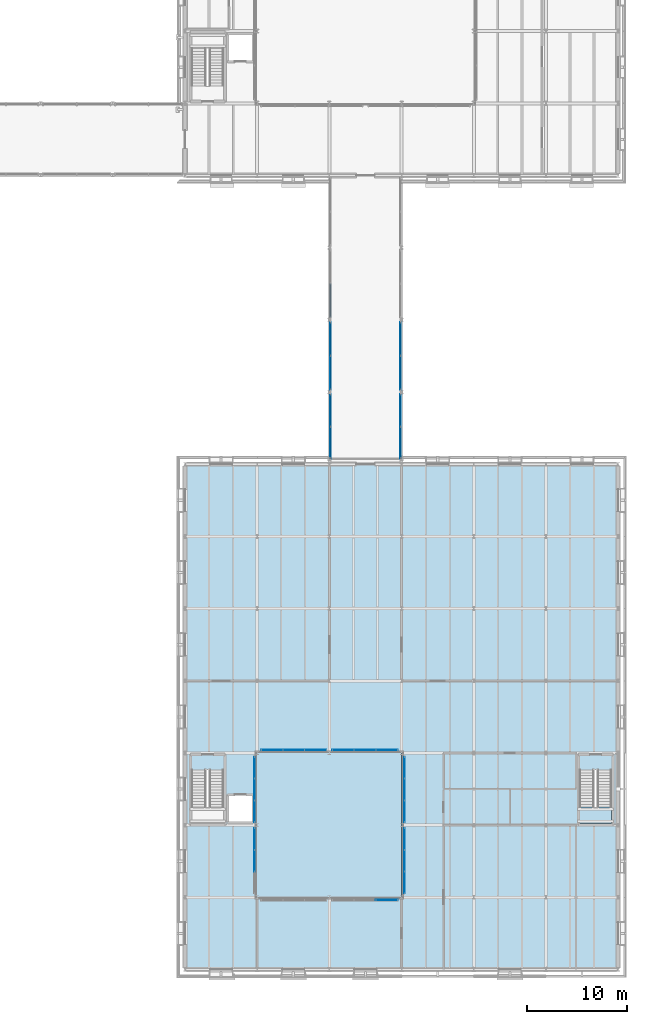
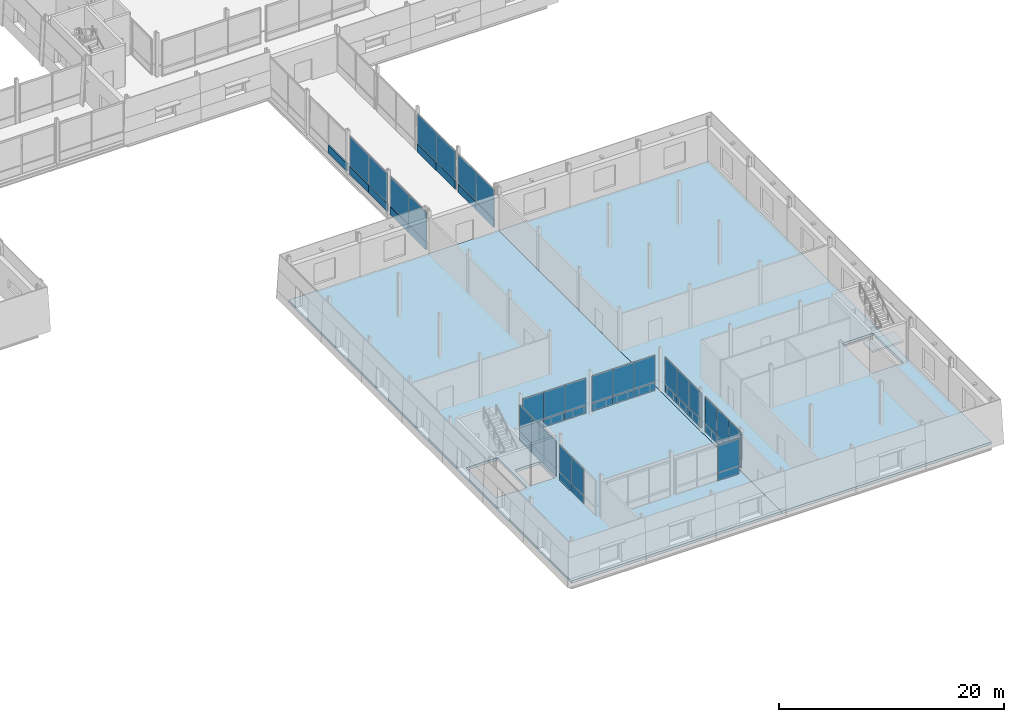
# One storey, part 66 of 121: 53 plates, 3 slabs, 13 elements without a shape of their own.
"""IFC4 building model written with IfcOpenShell, lengths in metres."""

from ifc_helpers import new_model, si_unit, direction, frame, origin, origin_2d, place, context, subcontext, project, spatial, polyline, rectangle, outline, extrude, material, layer, layer_set, type_object, element, aggregate, save


model = new_model("IFC4")

# Units and contexts
model_context = context("Model", 3, precision=1e-05, world=origin(), true_north=direction((0.0, 1.0)))
body_context = subcontext(model_context, "Body", "Model", "MODEL_VIEW")
ifc_project = project(units=[si_unit("LENGTHUNIT", "METRE"), si_unit("AREAUNIT", "SQUARE_METRE"), si_unit("VOLUMEUNIT", "CUBIC_METRE"), si_unit("PLANEANGLEUNIT", "RADIAN"), si_unit("MASSUNIT", "GRAM", prefix="KILO")], contexts=[model_context])

# Site, building, storey
site_placement = place(None, origin())
site = spatial("IfcSite", under=ifc_project, at=site_placement, CompositionType="ELEMENT")
building_placement = place(site_placement, origin())
building = spatial("IfcBuilding", under=site, at=building_placement, Name="Narikvali Park Central Library", CompositionType="ELEMENT")
storey_placement = place(building_placement, frame((0.0, 0.0, 5.39990234375)))
storey = spatial("IfcBuildingStorey", under=building, at=storey_placement, Name="L01", CompositionType="ELEMENT", Elevation=5.39990234375)

# Slabs
ifc_material_1 = material(Name="Concrete C35/45", Category="concrete")
ifc_layer_1 = layer(ifc_material_1, 0.280029296875, Name="Concrete C35/45")
ifc_layer_set_1 = layer_set([ifc_layer_1], Name="Concrete C35/45")
slab_type_1 = type_object("IfcSlabType", Name="Composite Reading Floor Slab 280", PredefinedType="FLOOR", material=ifc_layer_set_1)
slab_1_placement = place(storey_placement, frame((0.0, 0.0, -0.27978515625)))
element("IfcSlab", 1, at=slab_1_placement, inside=storey, type_object=slab_type_1, Name="V6 L01 Structural Slab Panel 1", PredefinedType="FLOOR", context=body_context, shape_type="SweptSolid", body=[
    extrude(outline(polyline([(122.39990234375, 0.0), (144.0, 0.0), (144.0, 50.39990234375), (122.39990234375, 50.39990234375), (122.39990234375, 0.0)]), holes=[polyline([(123.050048828125, 14.550048828125), (126.25, 14.550048828125), (126.25, 19.89990234375), (123.050048828125, 19.89990234375), (123.050048828125, 14.550048828125)]), polyline([(126.64990234375, 14.64990234375), (129.199951171875, 14.64990234375), (129.199951171875, 17.449951171875), (126.64990234375, 17.449951171875), (126.64990234375, 14.64990234375)])]), origin(), (0.0, 0.0, 1.0), 0.27978515625),
])
slab_2_placement = place(storey_placement, frame((0.0, 0.0, -0.27978515625)))
element("IfcSlab", 2, at=slab_2_placement, inside=storey, type_object=slab_type_1, Name="V6 L01 Structural Slab Panel 2", PredefinedType="FLOOR", context=body_context, shape_type="SweptSolid", body=[
    extrude(outline(polyline([(144.0, 0.0), (165.60009765625, 0.0), (165.60009765625, 50.39990234375), (144.0, 50.39990234375), (144.0, 0.0)]), holes=[polyline([(161.75, 14.550048828125), (164.949951171875, 14.550048828125), (164.949951171875, 19.89990234375), (161.75, 19.89990234375), (161.75, 14.550048828125)])]), origin(), (0.0, 0.0, 1.0), 0.27978515625),
])

# Curtain wall, plate
ifc_material_2 = material(Name="Anodised Bronze Aluminium", Category="aluminium")
ifc_layer_2 = layer(ifc_material_2, 0.219970703125, Name="Anodised Bronze Aluminium")
ifc_layer_set_2 = layer_set([ifc_layer_2], Name="Anodised Bronze Aluminium")
curtain_wall_type_1 = type_object("IfcCurtainWallType", Name="Bridge Covered Passage Glazing System", PredefinedType="NOTDEFINED", material=ifc_layer_set_2)
curtain_wall_1_placement = place(storey_placement, origin())
curtain_wall_1 = element("IfcCurtainWall", 3, at=curtain_wall_1_placement, inside=storey, type_object=curtain_wall_type_1, Name="Bridge Covered Passage Glazing System CW-BRG-4-L01-W1", PredefinedType="NOTDEFINED")
ifc_material_3 = material(Name="Anodised Bronze Acoustic Spandrel Cassette")
ifc_layer_3 = layer(ifc_material_3, 0.1650390625, Name="Anodised Bronze Acoustic Spandrel Cassette")
ifc_layer_set_3 = layer_set([ifc_layer_3], Name="Anodised Bronze Acoustic Spandrel Cassette")
plate_type_1 = type_object("IfcPlateType", Name="Curtain Wall Acoustic Plenum Louvre Cassette 165", PredefinedType="CURTAIN_PANEL", material=ifc_layer_set_3)
plate_1_placement = place(storey_placement, frame((136.919921875, 55.757568359375, 0.03515625), z_axis=(0.0, 0.0, 1.0), x_axis=(0.0, 1.0, 0.0)))
plate_1 = element("IfcPlate", 4, at=plate_1_placement, type_object=plate_type_1, Name="CW-BRG-4-L01-W1 Panel 01-0", PredefinedType="CURTAIN_PANEL", context=body_context, shape_type="SweptSolid", body=[
    extrude(rectangle(XDim=3.195068359375, YDim=0.1650390625, at=origin_2d()), origin(), (0.0, 0.0, 1.0), 0.860107421875),
])

curtain_wall_2_placement = place(storey_placement, origin())
curtain_wall_2 = element("IfcCurtainWall", 5, at=curtain_wall_2_placement, inside=storey, type_object=curtain_wall_type_1, Name="Bridge Covered Passage Glazing System CW-BRG-4-L01-E1", PredefinedType="NOTDEFINED")
plate_2_placement = place(storey_placement, frame((143.8798828125, 52.552490234375, 0.03515625), z_axis=(0.0, 0.0, 1.0), x_axis=(0.0, 1.0, 0.0)))
plate_2 = element("IfcPlate", 6, at=plate_2_placement, type_object=plate_type_1, Name="CW-BRG-4-L01-E1 Panel 00-0", PredefinedType="CURTAIN_PANEL", context=body_context, shape_type="SweptSolid", body=[
    extrude(rectangle(XDim=3.195068359375, YDim=0.1650390625, at=origin_2d()), origin(), (0.0, 0.0, 1.0), 0.860107421875),
])

curtain_wall_3_placement = place(storey_placement, origin())
curtain_wall_3 = element("IfcCurtainWall", 7, at=curtain_wall_3_placement, inside=storey, type_object=curtain_wall_type_1, Name="Bridge Covered Passage Glazing System CW-BRG-4-L01-E2", PredefinedType="NOTDEFINED")
plate_3_placement = place(storey_placement, frame((143.8798828125, 62.8798828125, 0.03515625), z_axis=(0.0, 0.0, 1.0), x_axis=(0.0, 1.0, 0.0)))
plate_3 = element("IfcPlate", 8, at=plate_3_placement, type_object=plate_type_1, Name="CW-BRG-4-L01-E2 Panel 01-0", PredefinedType="CURTAIN_PANEL", context=body_context, shape_type="SweptSolid", body=[
    extrude(rectangle(XDim=3.35009765625, YDim=0.1650390625, at=origin_2d()), origin(), (0.0, 0.0, 1.0), 0.860107421875),
])

curtain_wall_4_placement = place(storey_placement, origin())
curtain_wall_4 = element("IfcCurtainWall", 9, at=curtain_wall_4_placement, inside=storey, type_object=curtain_wall_type_1, Name="Bridge Covered Passage Glazing System CW-BRG-4-L01-W3", PredefinedType="NOTDEFINED")
plate_4_placement = place(storey_placement, frame((136.919921875, 66.719970703125, 0.03515625), z_axis=(0.0, 0.0, 1.0), x_axis=(0.0, 1.0, 0.0)))
plate_4 = element("IfcPlate", 10, at=plate_4_placement, type_object=plate_type_1, Name="CW-BRG-4-L01-W3 Panel 00-0", PredefinedType="CURTAIN_PANEL", context=body_context, shape_type="SweptSolid", body=[
    extrude(rectangle(XDim=3.35009765625, YDim=0.1650390625, at=origin_2d()), origin(), (0.0, 0.0, 1.0), 0.860107421875),
])
aggregate(curtain_wall_4, [plate_4])

# Plate
ifc_material_4 = material(Name="Heavy Acoustic Laminated Clerestory Glazing", Category="glass")
ifc_layer_4 = layer(ifc_material_4, 0.06396484375, Name="Heavy Acoustic Laminated Clerestory Glazing")
ifc_layer_set_4 = layer_set([ifc_layer_4], Name="Heavy Acoustic Laminated Clerestory Glazing")
plate_type_2 = type_object("IfcPlateType", Name="Curtain Wall Clerestory Laminated Acoustic Glass 64", PredefinedType="CURTAIN_PANEL", material=ifc_layer_set_4)
plate_5_placement = place(storey_placement, frame((136.919921875, 52.552490234375, 0.905029296875), z_axis=(0.0, 0.0, 1.0), x_axis=(0.0, 1.0, 0.0)))
plate_5 = element("IfcPlate", 11, at=plate_5_placement, type_object=plate_type_2, Name="CW-BRG-4-L01-W1 Panel 00-1", PredefinedType="CURTAIN_PANEL", context=body_context, shape_type="SweptSolid", body=[
    extrude(rectangle(XDim=3.195068359375, YDim=0.06396484375, at=origin_2d()), origin(), (0.0, 0.0, 1.0), 3.2099609375),
])

plate_6_placement = place(storey_placement, frame((136.919921875, 55.757568359375, 0.905029296875), z_axis=(0.0, 0.0, 1.0), x_axis=(0.0, 1.0, 0.0)))
plate_6 = element("IfcPlate", 12, at=plate_6_placement, type_object=plate_type_2, Name="CW-BRG-4-L01-W1 Panel 01-1", PredefinedType="CURTAIN_PANEL", context=body_context, shape_type="SweptSolid", body=[
    extrude(rectangle(XDim=3.195068359375, YDim=0.06396484375, at=origin_2d()), origin(), (0.0, 0.0, 1.0), 3.2099609375),
])

plate_7_placement = place(storey_placement, frame((143.8798828125, 59.52001953125, 0.905029296875), z_axis=(0.0, 0.0, 1.0), x_axis=(0.0, 1.0, 0.0)))
plate_7 = element("IfcPlate", 13, at=plate_7_placement, type_object=plate_type_2, Name="CW-BRG-4-L01-E2 Panel 00-1", PredefinedType="CURTAIN_PANEL", context=body_context, shape_type="SweptSolid", body=[
    extrude(rectangle(XDim=3.35009765625, YDim=0.06396484375, at=origin_2d()), origin(), (0.0, 0.0, 1.0), 3.2099609375),
])

plate_8_placement = place(storey_placement, frame((143.8798828125, 62.8798828125, 0.905029296875), z_axis=(0.0, 0.0, 1.0), x_axis=(0.0, 1.0, 0.0)))
plate_8 = element("IfcPlate", 14, at=plate_8_placement, type_object=plate_type_2, Name="CW-BRG-4-L01-E2 Panel 01-1", PredefinedType="CURTAIN_PANEL", context=body_context, shape_type="SweptSolid", body=[
    extrude(rectangle(XDim=3.35009765625, YDim=0.06396484375, at=origin_2d()), origin(), (0.0, 0.0, 1.0), 3.2099609375),
])

# Curtain wall, plates
ifc_layer_5 = layer(ifc_material_2, 0.219970703125, Name="Anodised Bronze Aluminium")
ifc_layer_set_5 = layer_set([ifc_layer_5], Name="Anodised Bronze Aluminium")
curtain_wall_type_2 = type_object("IfcCurtainWallType", Name="Atrium Tall Curtain Wall System", PredefinedType="NOTDEFINED", material=ifc_layer_set_5)
curtain_wall_5_placement = place(storey_placement, origin())
curtain_wall_5 = element("IfcCurtainWall", 15, at=curtain_wall_5_placement, inside=storey, type_object=curtain_wall_type_2, Name="Atrium Tall Curtain Wall System CW-INT-V6-L01-W1", PredefinedType="NOTDEFINED")
plate_9_placement = place(storey_placement, frame((129.320068359375, 10.85009765625, 0.03515625), z_axis=(0.0, 0.0, 1.0), x_axis=(0.0, 1.0, 0.0)))
plate_9 = element("IfcPlate", 16, at=plate_9_placement, type_object=plate_type_2, Name="CW-INT-V6-L01-W1 Panel 01-0", PredefinedType="CURTAIN_PANEL", context=body_context, shape_type="SweptSolid", body=[
    extrude(rectangle(XDim=2.15673828125, YDim=0.06396484375, at=origin_2d()), origin(), (0.0, 0.0, 1.0), 0.860107421875),
])
plate_10_placement = place(storey_placement, frame((129.320068359375, 13.0166015625, 0.03515625), z_axis=(0.0, 0.0, 1.0), x_axis=(0.0, 1.0, 0.0)))
plate_10 = element("IfcPlate", 17, at=plate_10_placement, type_object=plate_type_2, Name="CW-INT-V6-L01-W1 Panel 02-0", PredefinedType="CURTAIN_PANEL", context=body_context, shape_type="SweptSolid", body=[
    extrude(rectangle(XDim=2.15673828125, YDim=0.06396484375, at=origin_2d()), origin(), (0.0, 0.0, 1.0), 0.860107421875),
])

curtain_wall_6_placement = place(storey_placement, origin())
curtain_wall_6 = element("IfcCurtainWall", 18, at=curtain_wall_6_placement, inside=storey, type_object=curtain_wall_type_2, Name="Atrium Tall Curtain Wall System CW-INT-V6-L01-E1", PredefinedType="NOTDEFINED")
plate_11_placement = place(storey_placement, frame((144.280029296875, 8.683349609375, 0.905029296875), z_axis=(0.0, 0.0, 1.0), x_axis=(0.0, 1.0, 0.0)))
plate_11 = element("IfcPlate", 19, at=plate_11_placement, type_object=plate_type_2, Name="CW-INT-V6-L01-E1 Panel 00-1", PredefinedType="CURTAIN_PANEL", context=body_context, shape_type="SweptSolid", body=[
    extrude(rectangle(XDim=2.15673828125, YDim=0.06396484375, at=origin_2d()), origin(), (0.0, 0.0, 1.0), 2.9599609375),
])
plate_12_placement = place(storey_placement, frame((144.280029296875, 10.85009765625, 0.905029296875), z_axis=(0.0, 0.0, 1.0), x_axis=(0.0, 1.0, 0.0)))
plate_12 = element("IfcPlate", 20, at=plate_12_placement, type_object=plate_type_2, Name="CW-INT-V6-L01-E1 Panel 01-1", PredefinedType="CURTAIN_PANEL", context=body_context, shape_type="SweptSolid", body=[
    extrude(rectangle(XDim=2.15673828125, YDim=0.06396484375, at=origin_2d()), origin(), (0.0, 0.0, 1.0), 2.9599609375),
])
plate_13_placement = place(storey_placement, frame((144.280029296875, 13.0166015625, 0.905029296875), z_axis=(0.0, 0.0, 1.0), x_axis=(0.0, 1.0, 0.0)))
plate_13 = element("IfcPlate", 21, at=plate_13_placement, type_object=plate_type_2, Name="CW-INT-V6-L01-E1 Panel 02-1", PredefinedType="CURTAIN_PANEL", context=body_context, shape_type="SweptSolid", body=[
    extrude(rectangle(XDim=2.15673828125, YDim=0.06396484375, at=origin_2d()), origin(), (0.0, 0.0, 1.0), 2.9599609375),
])

curtain_wall_7_placement = place(storey_placement, origin())
curtain_wall_7 = element("IfcCurtainWall", 22, at=curtain_wall_7_placement, inside=storey, type_object=curtain_wall_type_2, Name="Atrium Tall Curtain Wall System CW-INT-V6-L01-E2", PredefinedType="NOTDEFINED")
plate_14_placement = place(storey_placement, frame((144.280029296875, 15.783203125, 0.03515625), z_axis=(0.0, 0.0, 1.0), x_axis=(0.0, 1.0, 0.0)))
plate_14 = element("IfcPlate", 23, at=plate_14_placement, type_object=plate_type_2, Name="CW-INT-V6-L01-E2 Panel 00-0", PredefinedType="CURTAIN_PANEL", context=body_context, shape_type="SweptSolid", body=[
    extrude(rectangle(XDim=2.15673828125, YDim=0.06396484375, at=origin_2d()), origin(), (0.0, 0.0, 1.0), 0.860107421875),
])
plate_15_placement = place(storey_placement, frame((144.280029296875, 17.949951171875, 0.03515625), z_axis=(0.0, 0.0, 1.0), x_axis=(0.0, 1.0, 0.0)))
plate_15 = element("IfcPlate", 24, at=plate_15_placement, type_object=plate_type_2, Name="CW-INT-V6-L01-E2 Panel 01-0", PredefinedType="CURTAIN_PANEL", context=body_context, shape_type="SweptSolid", body=[
    extrude(rectangle(XDim=2.15673828125, YDim=0.06396484375, at=origin_2d()), origin(), (0.0, 0.0, 1.0), 0.860107421875),
])
plate_16_placement = place(storey_placement, frame((144.280029296875, 20.11669921875, 0.03515625), z_axis=(0.0, 0.0, 1.0), x_axis=(0.0, 1.0, 0.0)))
plate_16 = element("IfcPlate", 25, at=plate_16_placement, type_object=plate_type_2, Name="CW-INT-V6-L01-E2 Panel 02-0", PredefinedType="CURTAIN_PANEL", context=body_context, shape_type="SweptSolid", body=[
    extrude(rectangle(XDim=2.15673828125, YDim=0.06396484375, at=origin_2d()), origin(), (0.0, 0.0, 1.0), 0.860107421875),
])

curtain_wall_8_placement = place(storey_placement, origin())
curtain_wall_8 = element("IfcCurtainWall", 26, at=curtain_wall_8_placement, inside=storey, type_object=curtain_wall_type_2, Name="Atrium Tall Curtain Wall System CW-INT-V6-L01-N2", PredefinedType="NOTDEFINED")
plate_17_placement = place(storey_placement, frame((138.183349609375, 21.8798828125, 0.905029296875), z_axis=(0.0, 0.0, 1.0), x_axis=(1.0, 0.0, 0.0)))
plate_17 = element("IfcPlate", 27, at=plate_17_placement, type_object=plate_type_2, Name="CW-INT-V6-L01-N2 Panel 00-1", PredefinedType="CURTAIN_PANEL", context=body_context, shape_type="SweptSolid", body=[
    extrude(rectangle(XDim=2.15673828125, YDim=0.06396484375, at=origin_2d()), origin(), (0.0, 0.0, 1.0), 2.9599609375),
])
plate_18_placement = place(storey_placement, frame((140.35009765625, 21.8798828125, 0.905029296875), z_axis=(0.0, 0.0, 1.0), x_axis=(1.0, 0.0, 0.0)))
plate_18 = element("IfcPlate", 28, at=plate_18_placement, type_object=plate_type_2, Name="CW-INT-V6-L01-N2 Panel 01-1", PredefinedType="CURTAIN_PANEL", context=body_context, shape_type="SweptSolid", body=[
    extrude(rectangle(XDim=2.15673828125, YDim=0.06396484375, at=origin_2d()), origin(), (0.0, 0.0, 1.0), 2.9599609375),
])
plate_19_placement = place(storey_placement, frame((142.5166015625, 21.8798828125, 0.905029296875), z_axis=(0.0, 0.0, 1.0), x_axis=(1.0, 0.0, 0.0)))
plate_19 = element("IfcPlate", 29, at=plate_19_placement, type_object=plate_type_2, Name="CW-INT-V6-L01-N2 Panel 02-1", PredefinedType="CURTAIN_PANEL", context=body_context, shape_type="SweptSolid", body=[
    extrude(rectangle(XDim=2.15673828125, YDim=0.06396484375, at=origin_2d()), origin(), (0.0, 0.0, 1.0), 2.9599609375),
])

# Plate
ifc_material_5 = material(Name="Double Low-E Tempered Vision Glazing", Category="glass")
ifc_layer_6 = layer(ifc_material_5, 0.035888671875, Name="Double Low-E Tempered Vision Glazing")
ifc_layer_set_6 = layer_set([ifc_layer_6], Name="Double Low-E Tempered Vision Glazing")
plate_type_3 = type_object("IfcPlateType", Name="Curtain Wall Double Low-E Vision Glazing 36", PredefinedType="CURTAIN_PANEL", material=ifc_layer_set_6)
plate_20_placement = place(storey_placement, frame((143.8798828125, 52.552490234375, 0.905029296875), z_axis=(0.0, 0.0, 1.0), x_axis=(0.0, 1.0, 0.0)))
plate_20 = element("IfcPlate", 30, at=plate_20_placement, type_object=plate_type_3, Name="CW-BRG-4-L01-E1 Panel 00-1", PredefinedType="CURTAIN_PANEL", context=body_context, shape_type="SweptSolid", body=[
    extrude(rectangle(XDim=3.195068359375, YDim=0.035888671875, at=origin_2d()), origin(), (0.0, 0.0, 1.0), 3.2099609375),
])

plate_21_placement = place(storey_placement, frame((143.8798828125, 55.757568359375, 0.905029296875), z_axis=(0.0, 0.0, 1.0), x_axis=(0.0, 1.0, 0.0)))
plate_21 = element("IfcPlate", 31, at=plate_21_placement, type_object=plate_type_3, Name="CW-BRG-4-L01-E1 Panel 01-1", PredefinedType="CURTAIN_PANEL", context=body_context, shape_type="SweptSolid", body=[
    extrude(rectangle(XDim=3.195068359375, YDim=0.035888671875, at=origin_2d()), origin(), (0.0, 0.0, 1.0), 3.2099609375),
])

plate_22_placement = place(storey_placement, frame((129.320068359375, 10.85009765625, 0.905029296875), z_axis=(0.0, 0.0, 1.0), x_axis=(0.0, 1.0, 0.0)))
plate_22 = element("IfcPlate", 32, at=plate_22_placement, type_object=plate_type_3, Name="CW-INT-V6-L01-W1 Panel 01-1", PredefinedType="CURTAIN_PANEL", context=body_context, shape_type="SweptSolid", body=[
    extrude(rectangle(XDim=2.15673828125, YDim=0.035888671875, at=origin_2d()), origin(), (0.0, 0.0, 1.0), 2.9599609375),
])

plate_23_placement = place(storey_placement, frame((129.320068359375, 13.0166015625, 0.905029296875), z_axis=(0.0, 0.0, 1.0), x_axis=(0.0, 1.0, 0.0)))
plate_23 = element("IfcPlate", 33, at=plate_23_placement, type_object=plate_type_3, Name="CW-INT-V6-L01-W1 Panel 02-1", PredefinedType="CURTAIN_PANEL", context=body_context, shape_type="SweptSolid", body=[
    extrude(rectangle(XDim=2.15673828125, YDim=0.035888671875, at=origin_2d()), origin(), (0.0, 0.0, 1.0), 2.9599609375),
])

aggregate(curtain_wall_5, [plate_9, plate_22, plate_10, plate_23])

# Curtain wall, plates
curtain_wall_9_placement = place(storey_placement, origin())
curtain_wall_9 = element("IfcCurtainWall", 34, at=curtain_wall_9_placement, inside=storey, type_object=curtain_wall_type_2, Name="Atrium Tall Curtain Wall System CW-INT-V6-L01-W2", PredefinedType="NOTDEFINED")
plate_24_placement = place(storey_placement, frame((129.320068359375, 15.783203125, 0.03515625), z_axis=(0.0, 0.0, 1.0), x_axis=(0.0, 1.0, 0.0)))
plate_24 = element("IfcPlate", 35, at=plate_24_placement, type_object=plate_type_3, Name="CW-INT-V6-L01-W2 Panel 00-0", PredefinedType="CURTAIN_PANEL", context=body_context, shape_type="SweptSolid", body=[
    extrude(rectangle(XDim=2.15673828125, YDim=0.035888671875, at=origin_2d()), origin(), (0.0, 0.0, 1.0), 0.860107421875),
])
plate_25_placement = place(storey_placement, frame((129.320068359375, 17.949951171875, 0.03515625), z_axis=(0.0, 0.0, 1.0), x_axis=(0.0, 1.0, 0.0)))
plate_25 = element("IfcPlate", 36, at=plate_25_placement, type_object=plate_type_3, Name="CW-INT-V6-L01-W2 Panel 01-0", PredefinedType="CURTAIN_PANEL", context=body_context, shape_type="SweptSolid", body=[
    extrude(rectangle(XDim=2.15673828125, YDim=0.035888671875, at=origin_2d()), origin(), (0.0, 0.0, 1.0), 0.860107421875),
])
plate_26_placement = place(storey_placement, frame((129.320068359375, 20.11669921875, 0.03515625), z_axis=(0.0, 0.0, 1.0), x_axis=(0.0, 1.0, 0.0)))
plate_26 = element("IfcPlate", 37, at=plate_26_placement, type_object=plate_type_3, Name="CW-INT-V6-L01-W2 Panel 02-0", PredefinedType="CURTAIN_PANEL", context=body_context, shape_type="SweptSolid", body=[
    extrude(rectangle(XDim=2.15673828125, YDim=0.035888671875, at=origin_2d()), origin(), (0.0, 0.0, 1.0), 0.860107421875),
])

# Plate
plate_27_placement = place(storey_placement, frame((144.280029296875, 15.783203125, 0.905029296875), z_axis=(0.0, 0.0, 1.0), x_axis=(0.0, 1.0, 0.0)))
plate_27 = element("IfcPlate", 38, at=plate_27_placement, type_object=plate_type_3, Name="CW-INT-V6-L01-E2 Panel 00-1", PredefinedType="CURTAIN_PANEL", context=body_context, shape_type="SweptSolid", body=[
    extrude(rectangle(XDim=2.15673828125, YDim=0.035888671875, at=origin_2d()), origin(), (0.0, 0.0, 1.0), 2.9599609375),
])

plate_28_placement = place(storey_placement, frame((144.280029296875, 17.949951171875, 0.905029296875), z_axis=(0.0, 0.0, 1.0), x_axis=(0.0, 1.0, 0.0)))
plate_28 = element("IfcPlate", 39, at=plate_28_placement, type_object=plate_type_3, Name="CW-INT-V6-L01-E2 Panel 01-1", PredefinedType="CURTAIN_PANEL", context=body_context, shape_type="SweptSolid", body=[
    extrude(rectangle(XDim=2.15673828125, YDim=0.035888671875, at=origin_2d()), origin(), (0.0, 0.0, 1.0), 2.9599609375),
])

plate_29_placement = place(storey_placement, frame((144.280029296875, 20.11669921875, 0.905029296875), z_axis=(0.0, 0.0, 1.0), x_axis=(0.0, 1.0, 0.0)))
plate_29 = element("IfcPlate", 40, at=plate_29_placement, type_object=plate_type_3, Name="CW-INT-V6-L01-E2 Panel 02-1", PredefinedType="CURTAIN_PANEL", context=body_context, shape_type="SweptSolid", body=[
    extrude(rectangle(XDim=2.15673828125, YDim=0.035888671875, at=origin_2d()), origin(), (0.0, 0.0, 1.0), 2.9599609375),
])

aggregate(curtain_wall_7, [plate_14, plate_27, plate_15, plate_28, plate_16, plate_29])

# Curtain wall, plates
curtain_wall_10_placement = place(storey_placement, origin())
curtain_wall_10 = element("IfcCurtainWall", 41, at=curtain_wall_10_placement, inside=storey, type_object=curtain_wall_type_2, Name="Atrium Tall Curtain Wall System CW-INT-V6-L01-N1", PredefinedType="NOTDEFINED")
plate_30_placement = place(storey_placement, frame((131.083251953125, 21.8798828125, 0.03515625), z_axis=(0.0, 0.0, 1.0), x_axis=(1.0, 0.0, 0.0)))
plate_30 = element("IfcPlate", 42, at=plate_30_placement, type_object=plate_type_3, Name="CW-INT-V6-L01-N1 Panel 00-0", PredefinedType="CURTAIN_PANEL", context=body_context, shape_type="SweptSolid", body=[
    extrude(rectangle(XDim=2.15673828125, YDim=0.035888671875, at=origin_2d()), origin(), (0.0, 0.0, 1.0), 0.860107421875),
])
plate_31_placement = place(storey_placement, frame((133.25, 21.8798828125, 0.03515625), z_axis=(0.0, 0.0, 1.0), x_axis=(1.0, 0.0, 0.0)))
plate_31 = element("IfcPlate", 43, at=plate_31_placement, type_object=plate_type_3, Name="CW-INT-V6-L01-N1 Panel 01-0", PredefinedType="CURTAIN_PANEL", context=body_context, shape_type="SweptSolid", body=[
    extrude(rectangle(XDim=2.15673828125, YDim=0.035888671875, at=origin_2d()), origin(), (0.0, 0.0, 1.0), 0.860107421875),
])
plate_32_placement = place(storey_placement, frame((135.416748046875, 21.8798828125, 0.03515625), z_axis=(0.0, 0.0, 1.0), x_axis=(1.0, 0.0, 0.0)))
plate_32 = element("IfcPlate", 44, at=plate_32_placement, type_object=plate_type_3, Name="CW-INT-V6-L01-N1 Panel 02-0", PredefinedType="CURTAIN_PANEL", context=body_context, shape_type="SweptSolid", body=[
    extrude(rectangle(XDim=2.15673828125, YDim=0.035888671875, at=origin_2d()), origin(), (0.0, 0.0, 1.0), 0.860107421875),
])

# Curtain wall, plate
curtain_wall_11_placement = place(storey_placement, origin())
curtain_wall_11 = element("IfcCurtainWall", 45, at=curtain_wall_11_placement, inside=storey, type_object=curtain_wall_type_2, Name="Atrium Tall Curtain Wall System CW-INT-V6-L01-S2", PredefinedType="NOTDEFINED")
plate_33_placement = place(storey_placement, frame((142.5166015625, 6.919921875, 0.03515625), z_axis=(0.0, 0.0, 1.0), x_axis=(1.0, 0.0, 0.0)))
plate_33 = element("IfcPlate", 46, at=plate_33_placement, type_object=plate_type_3, Name="CW-INT-V6-L01-S2 Panel 02-0", PredefinedType="CURTAIN_PANEL", context=body_context, shape_type="SweptSolid", body=[
    extrude(rectangle(XDim=2.15673828125, YDim=0.035888671875, at=origin_2d()), origin(), (0.0, 0.0, 1.0), 0.860107421875),
])

# Plate
ifc_material_6 = material(Name="Anodised Bronze Insulated Spandrel Cassette")
ifc_layer_7 = layer(ifc_material_6, 0.110107421875, Name="Anodised Bronze Insulated Spandrel Cassette")
ifc_layer_set_7 = layer_set([ifc_layer_7], Name="Anodised Bronze Insulated Spandrel Cassette")
plate_type_4 = type_object("IfcPlateType", Name="Curtain Wall Insulated Bronze Spandrel Cassette 110", PredefinedType="CURTAIN_PANEL", material=ifc_layer_set_7)
plate_34_placement = place(storey_placement, frame((143.8798828125, 55.757568359375, 0.03515625), z_axis=(0.0, 0.0, 1.0), x_axis=(0.0, 1.0, 0.0)))
plate_34 = element("IfcPlate", 47, at=plate_34_placement, type_object=plate_type_4, Name="CW-BRG-4-L01-E1 Panel 01-0", PredefinedType="CURTAIN_PANEL", context=body_context, shape_type="SweptSolid", body=[
    extrude(rectangle(XDim=3.195068359375, YDim=0.110107421875, at=origin_2d()), origin(), (0.0, 0.0, 1.0), 0.860107421875),
])

aggregate(curtain_wall_2, [plate_2, plate_20, plate_34, plate_21])

# Curtain wall, plate
curtain_wall_12_placement = place(storey_placement, origin())
curtain_wall_12 = element("IfcCurtainWall", 48, at=curtain_wall_12_placement, inside=storey, type_object=curtain_wall_type_1, Name="Bridge Covered Passage Glazing System CW-BRG-4-L01-W2", PredefinedType="NOTDEFINED")
plate_35_placement = place(storey_placement, frame((136.919921875, 59.52001953125, 0.03515625), z_axis=(0.0, 0.0, 1.0), x_axis=(0.0, 1.0, 0.0)))
plate_35 = element("IfcPlate", 49, at=plate_35_placement, type_object=plate_type_4, Name="CW-BRG-4-L01-W2 Panel 00-0", PredefinedType="CURTAIN_PANEL", context=body_context, shape_type="SweptSolid", body=[
    extrude(rectangle(XDim=3.35009765625, YDim=0.110107421875, at=origin_2d()), origin(), (0.0, 0.0, 1.0), 0.860107421875),
])

# Plate
ifc_material_7 = material(Name="Mineral-Wool Shadow-Box Spandrel Assembly")
ifc_layer_8 = layer(ifc_material_7, 0.139892578125, Name="Mineral-Wool Shadow-Box Spandrel Assembly")
ifc_layer_set_8 = layer_set([ifc_layer_8], Name="Mineral-Wool Shadow-Box Spandrel Assembly")
plate_type_5 = type_object("IfcPlateType", Name="Curtain Wall Shadow-Box Mineral Spandrel Panel 140", PredefinedType="CURTAIN_PANEL", material=ifc_layer_set_8)
plate_36_placement = place(storey_placement, frame((136.919921875, 52.552490234375, 0.03515625), z_axis=(0.0, 0.0, 1.0), x_axis=(0.0, 1.0, 0.0)))
plate_36 = element("IfcPlate", 50, at=plate_36_placement, type_object=plate_type_5, Name="CW-BRG-4-L01-W1 Panel 00-0", PredefinedType="CURTAIN_PANEL", context=body_context, shape_type="SweptSolid", body=[
    extrude(rectangle(XDim=3.195068359375, YDim=0.139892578125, at=origin_2d()), origin(), (0.0, 0.0, 1.0), 0.860107421875),
])

aggregate(curtain_wall_1, [plate_36, plate_5, plate_1, plate_6])

plate_37_placement = place(storey_placement, frame((136.919921875, 62.8798828125, 0.03515625), z_axis=(0.0, 0.0, 1.0), x_axis=(0.0, 1.0, 0.0)))
plate_37 = element("IfcPlate", 51, at=plate_37_placement, type_object=plate_type_5, Name="CW-BRG-4-L01-W2 Panel 01-0", PredefinedType="CURTAIN_PANEL", context=body_context, shape_type="SweptSolid", body=[
    extrude(rectangle(XDim=3.35009765625, YDim=0.139892578125, at=origin_2d()), origin(), (0.0, 0.0, 1.0), 0.860107421875),
])

plate_38_placement = place(storey_placement, frame((143.8798828125, 59.52001953125, 0.03515625), z_axis=(0.0, 0.0, 1.0), x_axis=(0.0, 1.0, 0.0)))
plate_38 = element("IfcPlate", 52, at=plate_38_placement, type_object=plate_type_5, Name="CW-BRG-4-L01-E2 Panel 00-0", PredefinedType="CURTAIN_PANEL", context=body_context, shape_type="SweptSolid", body=[
    extrude(rectangle(XDim=3.35009765625, YDim=0.139892578125, at=origin_2d()), origin(), (0.0, 0.0, 1.0), 0.860107421875),
])

aggregate(curtain_wall_3, [plate_38, plate_7, plate_3, plate_8])

ifc_material_8 = material(Name="Triple Low-E Acoustic Laminated Glazing", Category="glass")
ifc_layer_9 = layer(ifc_material_8, 0.048095703125, Name="Triple Low-E Acoustic Laminated Glazing")
ifc_layer_set_9 = layer_set([ifc_layer_9], Name="Triple Low-E Acoustic Laminated Glazing")
plate_type_6 = type_object("IfcPlateType", Name="Curtain Wall Triple Solar-Acoustic Glazing 48", PredefinedType="CURTAIN_PANEL", material=ifc_layer_set_9)
plate_39_placement = place(storey_placement, frame((136.919921875, 59.52001953125, 0.905029296875), z_axis=(0.0, 0.0, 1.0), x_axis=(0.0, 1.0, 0.0)))
plate_39 = element("IfcPlate", 53, at=plate_39_placement, type_object=plate_type_6, Name="CW-BRG-4-L01-W2 Panel 00-1", PredefinedType="CURTAIN_PANEL", context=body_context, shape_type="SweptSolid", body=[
    extrude(rectangle(XDim=3.35009765625, YDim=0.048095703125, at=origin_2d()), origin(), (0.0, 0.0, 1.0), 3.2099609375),
])

plate_40_placement = place(storey_placement, frame((136.919921875, 62.8798828125, 0.905029296875), z_axis=(0.0, 0.0, 1.0), x_axis=(0.0, 1.0, 0.0)))
plate_40 = element("IfcPlate", 54, at=plate_40_placement, type_object=plate_type_6, Name="CW-BRG-4-L01-W2 Panel 01-1", PredefinedType="CURTAIN_PANEL", context=body_context, shape_type="SweptSolid", body=[
    extrude(rectangle(XDim=3.35009765625, YDim=0.048095703125, at=origin_2d()), origin(), (0.0, 0.0, 1.0), 3.2099609375),
])

aggregate(curtain_wall_12, [plate_35, plate_39, plate_37, plate_40])

plate_41_placement = place(storey_placement, frame((129.320068359375, 15.783203125, 0.905029296875), z_axis=(0.0, 0.0, 1.0), x_axis=(0.0, 1.0, 0.0)))
plate_41 = element("IfcPlate", 55, at=plate_41_placement, type_object=plate_type_6, Name="CW-INT-V6-L01-W2 Panel 00-1", PredefinedType="CURTAIN_PANEL", context=body_context, shape_type="SweptSolid", body=[
    extrude(rectangle(XDim=2.15673828125, YDim=0.048095703125, at=origin_2d()), origin(), (0.0, 0.0, 1.0), 2.9599609375),
])

plate_42_placement = place(storey_placement, frame((129.320068359375, 17.949951171875, 0.905029296875), z_axis=(0.0, 0.0, 1.0), x_axis=(0.0, 1.0, 0.0)))
plate_42 = element("IfcPlate", 56, at=plate_42_placement, type_object=plate_type_6, Name="CW-INT-V6-L01-W2 Panel 01-1", PredefinedType="CURTAIN_PANEL", context=body_context, shape_type="SweptSolid", body=[
    extrude(rectangle(XDim=2.15673828125, YDim=0.048095703125, at=origin_2d()), origin(), (0.0, 0.0, 1.0), 2.9599609375),
])

plate_43_placement = place(storey_placement, frame((129.320068359375, 20.11669921875, 0.905029296875), z_axis=(0.0, 0.0, 1.0), x_axis=(0.0, 1.0, 0.0)))
plate_43 = element("IfcPlate", 57, at=plate_43_placement, type_object=plate_type_6, Name="CW-INT-V6-L01-W2 Panel 02-1", PredefinedType="CURTAIN_PANEL", context=body_context, shape_type="SweptSolid", body=[
    extrude(rectangle(XDim=2.15673828125, YDim=0.048095703125, at=origin_2d()), origin(), (0.0, 0.0, 1.0), 2.9599609375),
])

aggregate(curtain_wall_9, [plate_24, plate_41, plate_25, plate_42, plate_26, plate_43])

plate_44_placement = place(storey_placement, frame((144.280029296875, 8.683349609375, 0.03515625), z_axis=(0.0, 0.0, 1.0), x_axis=(0.0, 1.0, 0.0)))
plate_44 = element("IfcPlate", 58, at=plate_44_placement, type_object=plate_type_6, Name="CW-INT-V6-L01-E1 Panel 00-0", PredefinedType="CURTAIN_PANEL", context=body_context, shape_type="SweptSolid", body=[
    extrude(rectangle(XDim=2.15673828125, YDim=0.048095703125, at=origin_2d()), origin(), (0.0, 0.0, 1.0), 0.860107421875),
])

plate_45_placement = place(storey_placement, frame((144.280029296875, 10.85009765625, 0.03515625), z_axis=(0.0, 0.0, 1.0), x_axis=(0.0, 1.0, 0.0)))
plate_45 = element("IfcPlate", 59, at=plate_45_placement, type_object=plate_type_6, Name="CW-INT-V6-L01-E1 Panel 01-0", PredefinedType="CURTAIN_PANEL", context=body_context, shape_type="SweptSolid", body=[
    extrude(rectangle(XDim=2.15673828125, YDim=0.048095703125, at=origin_2d()), origin(), (0.0, 0.0, 1.0), 0.860107421875),
])

plate_46_placement = place(storey_placement, frame((144.280029296875, 13.0166015625, 0.03515625), z_axis=(0.0, 0.0, 1.0), x_axis=(0.0, 1.0, 0.0)))
plate_46 = element("IfcPlate", 60, at=plate_46_placement, type_object=plate_type_6, Name="CW-INT-V6-L01-E1 Panel 02-0", PredefinedType="CURTAIN_PANEL", context=body_context, shape_type="SweptSolid", body=[
    extrude(rectangle(XDim=2.15673828125, YDim=0.048095703125, at=origin_2d()), origin(), (0.0, 0.0, 1.0), 0.860107421875),
])

aggregate(curtain_wall_6, [plate_44, plate_11, plate_45, plate_12, plate_46, plate_13])

plate_47_placement = place(storey_placement, frame((131.083251953125, 21.8798828125, 0.905029296875), z_axis=(0.0, 0.0, 1.0), x_axis=(1.0, 0.0, 0.0)))
plate_47 = element("IfcPlate", 61, at=plate_47_placement, type_object=plate_type_6, Name="CW-INT-V6-L01-N1 Panel 00-1", PredefinedType="CURTAIN_PANEL", context=body_context, shape_type="SweptSolid", body=[
    extrude(rectangle(XDim=2.15673828125, YDim=0.048095703125, at=origin_2d()), origin(), (0.0, 0.0, 1.0), 2.9599609375),
])

plate_48_placement = place(storey_placement, frame((133.25, 21.8798828125, 0.905029296875), z_axis=(0.0, 0.0, 1.0), x_axis=(1.0, 0.0, 0.0)))
plate_48 = element("IfcPlate", 62, at=plate_48_placement, type_object=plate_type_6, Name="CW-INT-V6-L01-N1 Panel 01-1", PredefinedType="CURTAIN_PANEL", context=body_context, shape_type="SweptSolid", body=[
    extrude(rectangle(XDim=2.15673828125, YDim=0.048095703125, at=origin_2d()), origin(), (0.0, 0.0, 1.0), 2.9599609375),
])

plate_49_placement = place(storey_placement, frame((135.416748046875, 21.8798828125, 0.905029296875), z_axis=(0.0, 0.0, 1.0), x_axis=(1.0, 0.0, 0.0)))
plate_49 = element("IfcPlate", 63, at=plate_49_placement, type_object=plate_type_6, Name="CW-INT-V6-L01-N1 Panel 02-1", PredefinedType="CURTAIN_PANEL", context=body_context, shape_type="SweptSolid", body=[
    extrude(rectangle(XDim=2.15673828125, YDim=0.048095703125, at=origin_2d()), origin(), (0.0, 0.0, 1.0), 2.9599609375),
])

aggregate(curtain_wall_10, [plate_30, plate_47, plate_31, plate_48, plate_32, plate_49])

plate_50_placement = place(storey_placement, frame((138.183349609375, 21.8798828125, 0.03515625), z_axis=(0.0, 0.0, 1.0), x_axis=(1.0, 0.0, 0.0)))
plate_50 = element("IfcPlate", 64, at=plate_50_placement, type_object=plate_type_6, Name="CW-INT-V6-L01-N2 Panel 00-0", PredefinedType="CURTAIN_PANEL", context=body_context, shape_type="SweptSolid", body=[
    extrude(rectangle(XDim=2.15673828125, YDim=0.048095703125, at=origin_2d()), origin(), (0.0, 0.0, 1.0), 0.860107421875),
])

plate_51_placement = place(storey_placement, frame((140.35009765625, 21.8798828125, 0.03515625), z_axis=(0.0, 0.0, 1.0), x_axis=(1.0, 0.0, 0.0)))
plate_51 = element("IfcPlate", 65, at=plate_51_placement, type_object=plate_type_6, Name="CW-INT-V6-L01-N2 Panel 01-0", PredefinedType="CURTAIN_PANEL", context=body_context, shape_type="SweptSolid", body=[
    extrude(rectangle(XDim=2.15673828125, YDim=0.048095703125, at=origin_2d()), origin(), (0.0, 0.0, 1.0), 0.860107421875),
])

plate_52_placement = place(storey_placement, frame((142.5166015625, 21.8798828125, 0.03515625), z_axis=(0.0, 0.0, 1.0), x_axis=(1.0, 0.0, 0.0)))
plate_52 = element("IfcPlate", 66, at=plate_52_placement, type_object=plate_type_6, Name="CW-INT-V6-L01-N2 Panel 02-0", PredefinedType="CURTAIN_PANEL", context=body_context, shape_type="SweptSolid", body=[
    extrude(rectangle(XDim=2.15673828125, YDim=0.048095703125, at=origin_2d()), origin(), (0.0, 0.0, 1.0), 0.860107421875),
])

aggregate(curtain_wall_8, [plate_50, plate_17, plate_51, plate_18, plate_52, plate_19])

plate_53_placement = place(storey_placement, frame((142.5166015625, 6.919921875, 0.905029296875), z_axis=(0.0, 0.0, 1.0), x_axis=(1.0, 0.0, 0.0)))
plate_53 = element("IfcPlate", 67, at=plate_53_placement, type_object=plate_type_6, Name="CW-INT-V6-L01-S2 Panel 02-1", PredefinedType="CURTAIN_PANEL", context=body_context, shape_type="SweptSolid", body=[
    extrude(rectangle(XDim=2.15673828125, YDim=0.048095703125, at=origin_2d()), origin(), (0.0, 0.0, 1.0), 2.9599609375),
])

aggregate(curtain_wall_11, [plate_33, plate_53])

# Stair, slab
stair_type = type_object("IfcStairType", Name="Core Enclosed Two-Flight Exit Stair", PredefinedType="HALF_TURN_STAIR", material=ifc_material_1)
stair_placement = place(storey_placement, origin())
stair = element("IfcStair", 68, at=stair_placement, inside=storey, type_object=stair_type, Name="L01 Exit Stair ST-12", PredefinedType="HALF_TURN_STAIR")
ifc_layer_10 = layer(ifc_material_1, 0.199951171875, Name="Concrete C35/45")
ifc_layer_set_10 = layer_set([ifc_layer_10], Name="Concrete C35/45")
slab_type_2 = type_object("IfcSlabType", Name="Stair Half-Landing Concrete Slab 200", PredefinedType="LANDING", material=ifc_layer_set_10)
slab_3_placement = place(storey_placement, frame((0.0, 0.0, 2.2001953125)))
slab_3 = element("IfcSlab", 69, at=slab_3_placement, type_object=slab_type_2, Name="ST-12 landing 1", PredefinedType="LANDING", context=body_context, shape_type="SweptSolid", body=[
    extrude(outline(polyline([(161.75, 16.195068359375), (161.75, 14.550048828125), (164.949951171875, 14.550048828125), (164.949951171875, 16.195068359375), (161.75, 16.195068359375)])), origin(), (0.0, 0.0, 1.0), 0.199951171875),
])
aggregate(stair, [slab_3])

save(model, "model.ifc")
